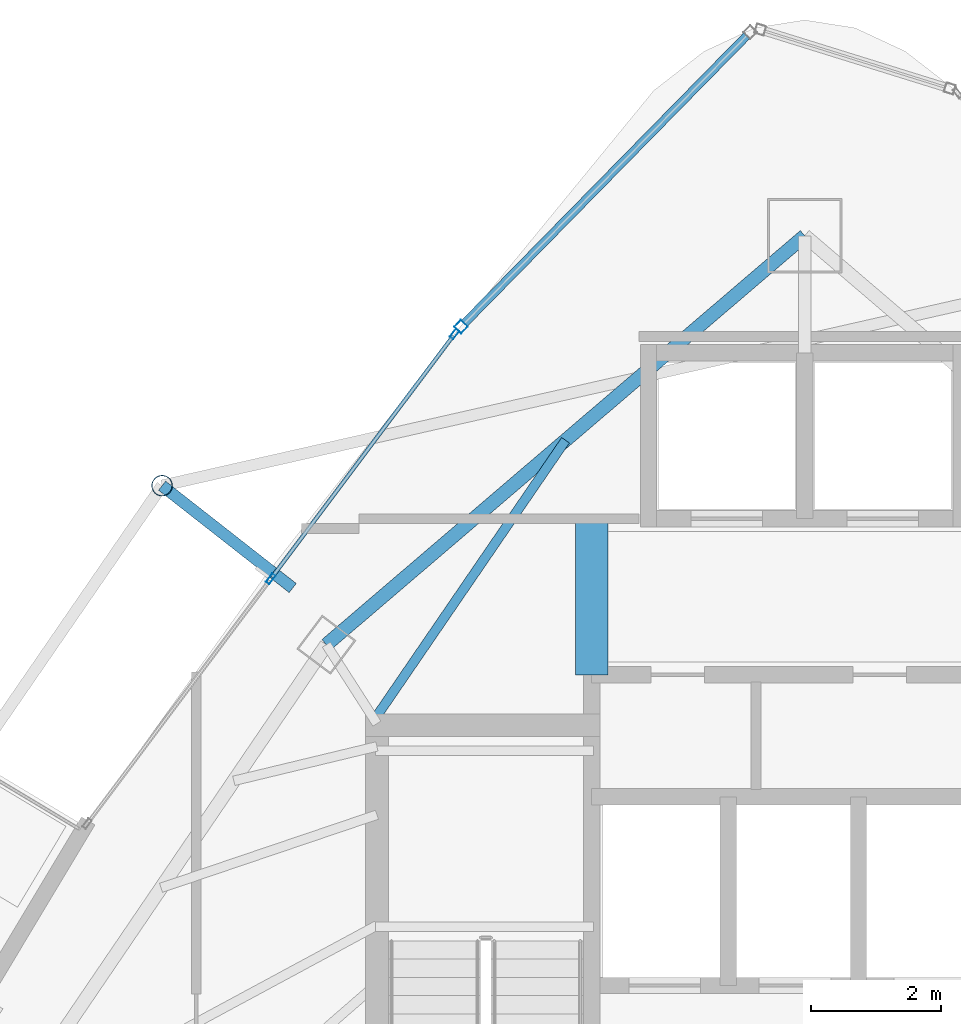
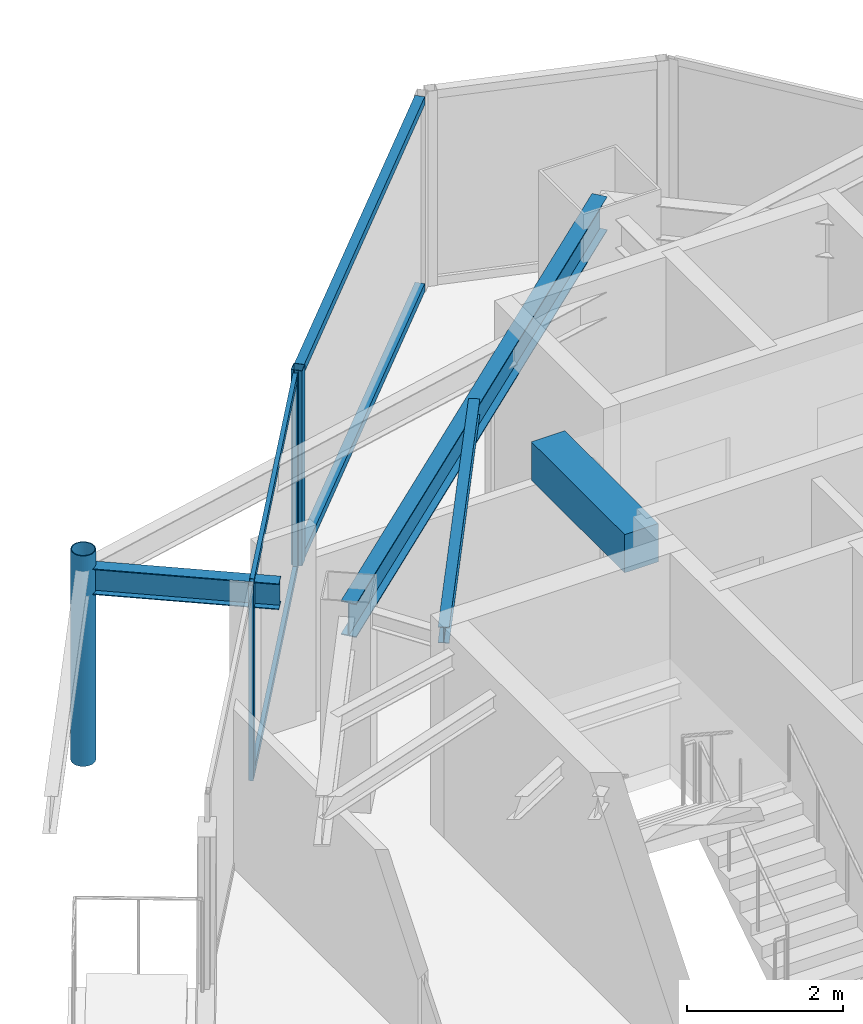
# One storey, part 20 of 28: 8 members, 4 beams, 2 elements without a shape of their own.
"""IFC4 building model written with IfcOpenShell, lengths in metres."""

from ifc_helpers import new_model, si_unit, direction, frame, origin, origin_2d, place, context, subcontext, project, spatial, rectangle, hollow_rectangle, hollow_circle, i_section, extrude, material, layer, layer_set, material_profile, profile_set, type_object, element, aggregate, save


model = new_model("IFC4")

# Units and contexts
model_context = context("Model", 3, precision=1e-05, world=origin(), true_north=direction((0.0, 1.0)))
body_context = subcontext(model_context, "Body", "Model", "MODEL_VIEW")
ifc_project = project(units=[si_unit("LENGTHUNIT", "METRE"), si_unit("AREAUNIT", "SQUARE_METRE"), si_unit("VOLUMEUNIT", "CUBIC_METRE"), si_unit("PLANEANGLEUNIT", "RADIAN"), si_unit("MASSUNIT", "GRAM", prefix="KILO")], contexts=[model_context])

# Site, building, storey
site_placement = place(None, origin())
site = spatial("IfcSite", under=ifc_project, at=site_placement, CompositionType="ELEMENT")
building_placement = place(site_placement, origin())
building = spatial("IfcBuilding", under=site, at=building_placement, Name="Orvanel Arch Residences", CompositionType="ELEMENT")
storey_placement = place(building_placement, frame((0.0, 0.0, 260.14990234375)))
storey = spatial("IfcBuildingStorey", under=building, at=storey_placement, Name="L74", CompositionType="ELEMENT", Elevation=260.14990234375)

# Beams
ifc_material_1 = material(Name="Structural steel AS/NZS 3679.1 Grade 300 (300 MPa)", Category="steel")
ifc_material_profile_1 = material_profile(ifc_material_1, i_section(OverallWidth=0.14599609375, OverallDepth=0.251953125, WebThickness=0.006103515625, FlangeThickness=0.008544921875, at=origin_2d()), Name="250UB31.4")
ifc_profile_set_1 = profile_set([ifc_material_profile_1], Name="Structural steel AS/NZS 3679.1 Grade 300 (300 MPa)")
beam_type_1 = type_object("IfcBeamType", Name="BJ-250UB", PredefinedType="JOIST", material=ifc_profile_set_1)
beam_1_placement = place(storey_placement, frame((26.425048828125, 34.02001953125, 2.93408203125), z_axis=(0.564868085352, 0.825181220188, 0.0), x_axis=(-0.825181220188, 0.564868085352, 0.0)))
element("IfcBeam", 1, at=beam_1_placement, inside=storey, type_object=beam_type_1, Name="L74 NNW2 Wing Floor Joist", PredefinedType="JOIST", context=body_context, shape_type="SweptSolid", body=[
    extrude(i_section(OverallWidth=0.14599609375, OverallDepth=0.251953125, WebThickness=0.006103515625, FlangeThickness=0.008544921875, at=origin_2d()), origin(), (0.0, 0.0, 1.0), 5.132080078125),
])
ifc_material_2 = material(Name="Concrete S65 (65 MPa)", Category="concrete")
ifc_material_profile_2 = material_profile(ifc_material_2, rectangle(XDim=0.5, YDim=0.60009765625, at=origin_2d()), Name="RC500x600")
ifc_profile_set_2 = profile_set([ifc_material_profile_2], Name="Concrete S65 (65 MPa)")
beam_type_2 = type_object("IfcBeamType", Name="CB-500x600", PredefinedType="LINTEL", material=ifc_profile_set_2)
beam_2_placement = place(storey_placement, frame((29.72509765625, 34.64990234375, 2.760009765625), z_axis=(0.0, 1.0, 0.0), x_axis=(-1.0, 0.0, 0.0)))
element("IfcBeam", 2, at=beam_2_placement, inside=storey, type_object=beam_type_2, Name="L74 West Core Lobby Coupling Lintel Beam", PredefinedType="LINTEL", context=body_context, shape_type="SweptSolid", body=[
    extrude(rectangle(XDim=0.5, YDim=0.60009765625, at=origin_2d()), origin(), (0.0, 0.0, 1.0), 2.400146484375),
])

# Curtain wall, member
ifc_material_3 = material(Name="Bronze-anodised aluminium AA6063-T6", Category="aluminium")
ifc_layer_1 = layer(ifc_material_3, 0.18994140625)
ifc_layer_set_1 = layer_set([ifc_layer_1], Name="Bronze-anodised aluminium AA6063-T6")
curtain_wall_type_1 = type_object("IfcCurtainWallType", Name="CW5-CRN-SYS", PredefinedType="NOTDEFINED", material=ifc_layer_set_1)
curtain_wall_1_placement = place(storey_placement, origin())
curtain_wall_1 = element("IfcCurtainWall", 3, at=curtain_wall_1_placement, inside=storey, type_object=curtain_wall_type_1, Name="L74 CW5-CRN-SYS Unitised Curtain Wall", PredefinedType="NOTDEFINED")
ifc_material_profile_3 = material_profile(ifc_material_3, hollow_rectangle(XDim=0.14990234375, YDim=0.14990234375, WallThickness=0.0048828125, at=origin_2d()), Name="ALU150x150x5")
ifc_profile_set_3 = profile_set([ifc_material_profile_3], Name="Bronze-anodised aluminium AA6063-T6")
member_type_1 = type_object("IfcMemberType", Name="MUL-150x150", PredefinedType="MULLION", material=ifc_profile_set_3)
member_1_placement = place(storey_placement, frame((27.716552734375, 39.99853515625, 0.0), z_axis=(0.0, 0.0, 1.0), x_axis=(0.713621357138, -0.700531625722, 0.0)))
member_1 = element("IfcMember", 4, at=member_1_placement, type_object=member_type_1, Name="CW-S5 mullion 2", PredefinedType="MULLION", context=body_context, shape_type="SweptSolid", body=[
    extrude(hollow_rectangle(XDim=0.14990234375, YDim=0.14990234375, WallThickness=0.0048828125, at=origin_2d()), origin(), (0.0, 0.0, 1.0), 3.06005859375),
])

# Curtain wall, members
ifc_layer_2 = layer(ifc_material_3, 0.175048828125)
ifc_layer_set_2 = layer_set([ifc_layer_2], Name="Bronze-anodised aluminium AA6063-T6")
curtain_wall_type_2 = type_object("IfcCurtainWallType", Name="CW4-HI-SYS", PredefinedType="NOTDEFINED", material=ifc_layer_set_2)
curtain_wall_2_placement = place(storey_placement, origin())
curtain_wall_2 = element("IfcCurtainWall", 5, at=curtain_wall_2_placement, inside=storey, type_object=curtain_wall_type_2, Name="L74 CW4-HI-SYS Unitised Curtain Wall", PredefinedType="NOTDEFINED")
ifc_material_profile_4 = material_profile(ifc_material_3, hollow_rectangle(XDim=0.06494140625, YDim=0.159912109375, WallThickness=0.00390625, at=origin_2d()), Name="ALU160x65x4")
ifc_profile_set_4 = profile_set([ifc_material_profile_4], Name="Bronze-anodised aluminium AA6063-T6")
member_type_2 = type_object("IfcMemberType", Name="MUL-160x65", PredefinedType="MULLION", material=ifc_profile_set_4)
member_2_placement = place(storey_placement, frame((27.618408203125, 39.888916015625, 0.0), z_axis=(0.0, 0.0, 1.0), x_axis=(0.799771978749, -0.60030390804, 0.0)))
member_2 = element("IfcMember", 6, at=member_2_placement, type_object=member_type_2, Name="CW-S4 mullion 1", PredefinedType="MULLION", context=body_context, shape_type="SweptSolid", body=[
    extrude(hollow_rectangle(XDim=0.06494140625, YDim=0.159912109375, WallThickness=0.00390625, at=origin_2d()), origin(), (0.0, 0.0, 1.0), 3.06005859375),
])
member_3_placement = place(storey_placement, frame((24.7939453125, 36.1259765625, 0.0), z_axis=(0.0, 0.0, 1.0), x_axis=(0.799771978749, -0.60030390804, 0.0)))
member_3 = element("IfcMember", 7, at=member_3_placement, type_object=member_type_2, Name="CW-S4 mullion 2", PredefinedType="MULLION", context=body_context, shape_type="SweptSolid", body=[
    extrude(hollow_rectangle(XDim=0.06494140625, YDim=0.159912109375, WallThickness=0.00390625, at=origin_2d()), origin(), (0.0, 0.0, 1.0), 3.06005859375),
])

# Beams
ifc_material_profile_5 = material_profile(ifc_material_1, i_section(OverallWidth=0.177978515625, OverallDepth=0.406005859375, WebThickness=0.0078125, FlangeThickness=0.0126953125, at=origin_2d()), Name="410UB59.7")
ifc_profile_set_5 = profile_set([ifc_material_profile_5], Name="Structural steel AS/NZS 3679.1 Grade 300 (300 MPa)")
beam_type_3 = type_object("IfcBeamType", Name="OB-410UB-EXT", PredefinedType="SPANDREL", material=ifc_profile_set_5)
beam_3_placement = place(storey_placement, frame((25.131103515625, 35.98388671875, 2.857177734375), z_axis=(-0.78722418157, 0.616666918159, 0.0), x_axis=(-0.616666918159, -0.78722418157, 0.0)))
element("IfcBeam", 8, at=beam_3_placement, inside=storey, type_object=beam_type_3, Name="L74 Outer Frame Radial Tie Beam 01", PredefinedType="SPANDREL", context=body_context, shape_type="SweptSolid", body=[
    extrude(i_section(OverallWidth=0.177978515625, OverallDepth=0.406005859375, WebThickness=0.0078125, FlangeThickness=0.0126953125, at=origin_2d()), origin(), (0.0, 0.0, 1.0), 2.55078125),
])
ifc_material_profile_6 = material_profile(ifc_material_1, i_section(OverallWidth=0.208984375, OverallDepth=0.532958984375, WebThickness=0.01025390625, FlangeThickness=0.015625, at=origin_2d()), Name="530UB92.4")
ifc_profile_set_6 = profile_set([ifc_material_profile_6], Name="Structural steel AS/NZS 3679.1 Grade 300 (300 MPa)")
beam_type_4 = type_object("IfcBeamType", Name="SP-530UB", PredefinedType="SPANDREL", material=ifc_profile_set_6)
beam_4_placement = place(storey_placement, frame((33.0, 41.39794921875, 2.793212890625), z_axis=(-0.760116518398, -0.649786794617, 0.0), x_axis=(0.649786794617, -0.760116518398, 0.0)))
element("IfcBeam", 9, at=beam_4_placement, inside=storey, type_object=beam_type_4, Name="L74 Perimeter Spandrel Beam 10", PredefinedType="SPANDREL", context=body_context, shape_type="SweptSolid", body=[
    extrude(i_section(OverallWidth=0.208984375, OverallDepth=0.532958984375, WebThickness=0.01025390625, FlangeThickness=0.015625, at=origin_2d()), origin(), (0.0, 0.0, 1.0), 9.67236328125),
])

# Member
ifc_material_4 = material(Name="Structural steel AS/NZS 1163 C350L0 (Grade 350)", Category="steel")
ifc_material_profile_7 = material_profile(ifc_material_4, hollow_circle(Radius=0.162109375, WallThickness=0.0126953125, at=origin_2d()), Name="CHS324x12.7")
ifc_profile_set_7 = profile_set([ifc_material_profile_7], Name="Structural steel AS/NZS 1163 C350L0 (Grade 350)")
member_type_3 = type_object("IfcMemberType", Name="ST-324CHS-EXT", PredefinedType="STRUT", material=ifc_profile_set_7)
member_4_placement = place(storey_placement, frame((23.123046875, 37.556884765625, 0.0), z_axis=(0.0, 0.0, 1.0), x_axis=(1.0, 0.0, 0.0)))
element("IfcMember", 10, at=member_4_placement, inside=storey, type_object=member_type_3, Name="L74 Outer Perimeter Frame Post 01", PredefinedType="STRUT", context=body_context, shape_type="SweptSolid", body=[
    extrude(hollow_circle(Radius=0.162109375, WallThickness=0.0126953125, at=origin_2d()), origin(), (0.0, 0.0, 1.0), 3.300048828125),
])

ifc_material_profile_8 = material_profile(ifc_material_3, hollow_rectangle(XDim=0.06005859375, YDim=0.1201171875, WallThickness=0.00341796875, at=origin_2d()), Name="ALU120x60x3.5")
ifc_profile_set_8 = profile_set([ifc_material_profile_8], Name="Bronze-anodised aluminium AA6063-T6")
member_type_4 = type_object("IfcMemberType", Name="TRN-120x60", PredefinedType="USERDEFINED", material=ifc_profile_set_8)
member_5_placement = place(storey_placement, frame((27.598876953125, 39.863037109375, 0.030029296875), z_axis=(-0.600303028681, -0.79977263879, 0.0), x_axis=(0.79977263879, -0.600303028681, 0.0)))
member_5 = element("IfcMember", 11, at=member_5_placement, type_object=member_type_4, Name="CW-S4 transom 1.1", ObjectType="TRANSOM", PredefinedType="USERDEFINED", context=body_context, shape_type="SweptSolid", body=[
    extrude(hollow_rectangle(XDim=0.06005859375, YDim=0.1201171875, WallThickness=0.00341796875, at=origin_2d()), origin(), (0.0, 0.0, 1.0), 4.639892578125),
])

member_6_placement = place(storey_placement, frame((27.598876953125, 39.863037109375, 3.030029296875), z_axis=(-0.600303028681, -0.79977263879, 0.0), x_axis=(0.79977263879, -0.600303028681, 0.0)))
member_6 = element("IfcMember", 12, at=member_6_placement, type_object=member_type_4, Name="CW-S4 transom 1.2", ObjectType="TRANSOM", PredefinedType="USERDEFINED", context=body_context, shape_type="SweptSolid", body=[
    extrude(hollow_rectangle(XDim=0.06005859375, YDim=0.1201171875, WallThickness=0.00341796875, at=origin_2d()), origin(), (0.0, 0.0, 1.0), 4.639892578125),
])

aggregate(curtain_wall_2, [member_2, member_3, member_5, member_6])

ifc_material_profile_9 = material_profile(ifc_material_3, hollow_rectangle(XDim=0.1298828125, YDim=0.1298828125, WallThickness=0.00439453125, at=origin_2d()), Name="ALU130x130x4.5")
ifc_profile_set_9 = profile_set([ifc_material_profile_9], Name="Bronze-anodised aluminium AA6063-T6")
member_type_5 = type_object("IfcMemberType", Name="TRN-130x130", PredefinedType="USERDEFINED", material=ifc_profile_set_9)
member_7_placement = place(storey_placement, frame((32.10791015625, 44.471923828125, 0.065185546875), z_axis=(-0.700533150529, -0.713619860296, 0.0), x_axis=(0.713619860296, -0.700533150529, 0.0)))
member_7 = element("IfcMember", 13, at=member_7_placement, type_object=member_type_5, Name="CW-S5 transom 1.1", ObjectType="TRANSOM", PredefinedType="USERDEFINED", context=body_context, shape_type="SweptSolid", body=[
    extrude(hollow_rectangle(XDim=0.1298828125, YDim=0.1298828125, WallThickness=0.00439453125, at=origin_2d()), origin(), (0.0, 0.0, 1.0), 6.193603515625),
])

member_8_placement = place(storey_placement, frame((32.10791015625, 44.471923828125, 2.9951171875), z_axis=(-0.700533150529, -0.713619860296, 0.0), x_axis=(0.713619860296, -0.700533150529, 0.0)))
member_8 = element("IfcMember", 14, at=member_8_placement, type_object=member_type_5, Name="CW-S5 transom 1.2", ObjectType="TRANSOM", PredefinedType="USERDEFINED", context=body_context, shape_type="SweptSolid", body=[
    extrude(hollow_rectangle(XDim=0.1298828125, YDim=0.1298828125, WallThickness=0.00439453125, at=origin_2d()), origin(), (0.0, 0.0, 1.0), 6.193603515625),
])

aggregate(curtain_wall_1, [member_1, member_7, member_8])

save(model, "model.ifc")
